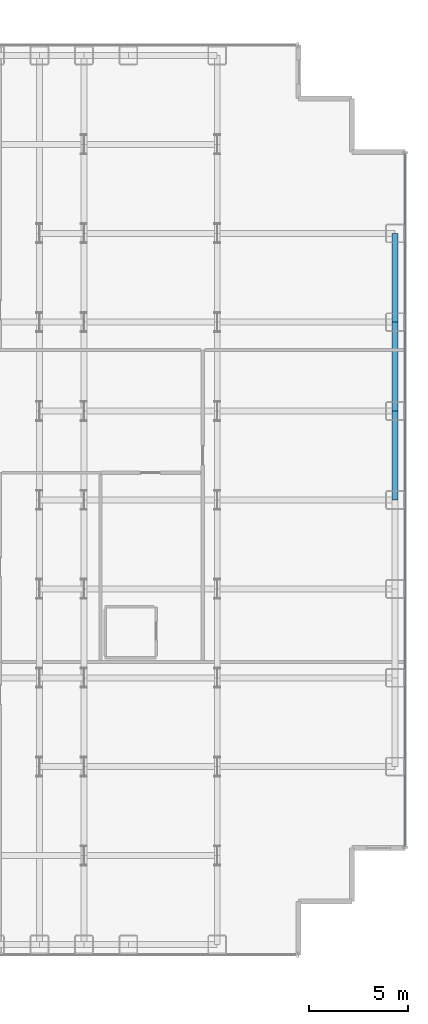
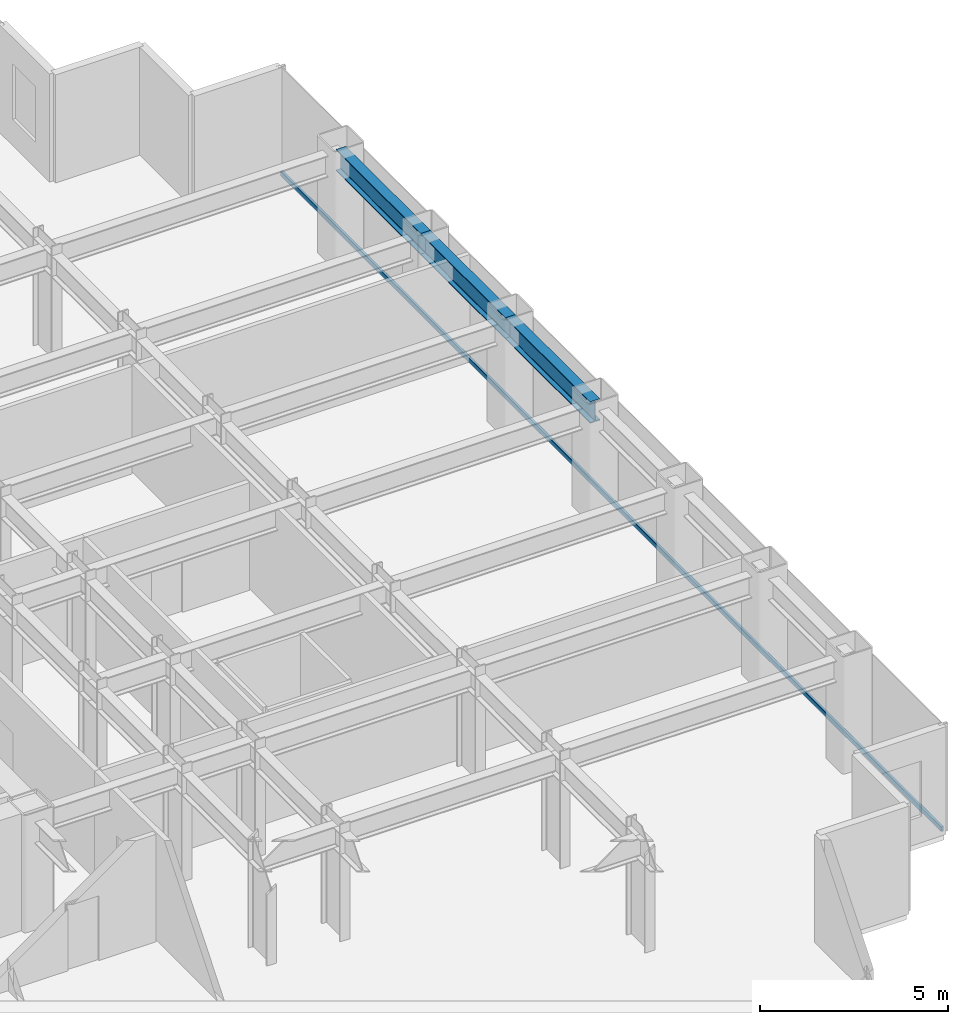
# One storey, part 17 of 26: 3 beams, 1 member, 1 element without a shape of its own.
"""IFC4 building model written with IfcOpenShell, lengths in metres."""

from ifc_helpers import new_model, si_unit, direction, frame, origin, origin_2d, place, context, subcontext, project, spatial, hollow_rectangle, i_section, extrude, source, transform, mapped, material, layer, layer_set, material_profile, profile_set, type_object, element, aggregate, save


model = new_model("IFC4")

# Units and contexts
model_context = context("Model", 3, precision=1e-05, world=origin(), true_north=direction((0.0, 1.0)))
body_context = subcontext(model_context, "Body", "Model", "MODEL_VIEW")
ifc_project = project(units=[si_unit("LENGTHUNIT", "METRE"), si_unit("AREAUNIT", "SQUARE_METRE"), si_unit("VOLUMEUNIT", "CUBIC_METRE"), si_unit("PLANEANGLEUNIT", "RADIAN"), si_unit("MASSUNIT", "GRAM", prefix="KILO")], contexts=[model_context])

# Site, building, storey
site_placement = place(None, origin())
site = spatial("IfcSite", under=ifc_project, at=site_placement, CompositionType="ELEMENT")
building_placement = place(site_placement, origin())
building = spatial("IfcBuilding", under=site, at=building_placement, Name="Nefas-Gora Pilgrimage Tower", CompositionType="ELEMENT")
storey_placement = place(building_placement, frame((0.0, 0.0, 82.39990234375)))
storey = spatial("IfcBuildingStorey", under=building, at=storey_placement, Name="L19", CompositionType="ELEMENT", Elevation=82.39990234375)

# Beams
ifc_material_1 = material(Name="Steel S355", Category="steel")
ifc_material_profile_1 = material_profile(ifc_material_1, i_section(OverallWidth=0.300048828125, OverallDepth=0.699951171875, WebThickness=0.01708984375, FlangeThickness=0.031982421875, FilletRadius=0.027099609375, at=origin_2d()), Name="HEB 700")
ifc_profile_set_1 = profile_set([ifc_material_profile_1], Name="Steel S355")
beam_type = type_object("IfcBeamType", Name="BM-SPN-HEB600", PredefinedType="SPANDREL", material=ifc_profile_set_1)
shared_shape_1 = source(origin(), body_context, "Body", "SweptSolid", [
    extrude(i_section(OverallWidth=0.300048828125, OverallDepth=0.699951171875, WebThickness=0.01708984375, FlangeThickness=0.031982421875, FilletRadius=0.027099609375, at=origin_2d()), origin(), (0.0, 0.0, 1.0), 4.5),
])
for number, where, z_axis, x_axis, name in (
    (1, (33.75, 0.0, 3.150146484375), (0.0, 1.0, 0.0), (-1.0, 0.0, 0.0), "L19 SP-01 beam"),
    (2, (33.75, 4.5, 3.150146484375), (0.0, 1.0, 0.0), (-1.0, 0.0, 0.0), "L19 SP-01 beam"),
    (3, (33.75, 9.0, 3.150146484375), (0.0, 1.0, 0.0), (-1.0, 0.0, 0.0), "L19 SP-01 beam"),
):
    element("IfcBeam", number, at=place(storey_placement, frame(where, z_axis=z_axis, x_axis=x_axis)), inside=storey, type_object=beam_type, Name=name, PredefinedType="SPANDREL", context=body_context, shape_type="MappedRepresentation", body=[
        mapped(shared_shape_1, transform((0.0, 0.0, 0.0), x_axis=(1.0, 0.0, 0.0), y_axis=(0.0, 1.0, 0.0), z_axis=(0.0, 0.0, 1.0), scale=1.0)),
    ])

# Curtain wall, member
ifc_material_2 = material(Name="Dark ceramic-fritted solar-control aluminium-glass curtain wall", Category="aluminium")
ifc_layer = layer(ifc_material_2, 0.219970703125)
ifc_layer_set = layer_set([ifc_layer], Name="Dark ceramic-fritted solar-control aluminium-glass curtain wall")
curtain_wall_type = type_object("IfcCurtainWallType", Name="CW-SYS-2", PredefinedType="NOTDEFINED", material=ifc_layer_set)
curtain_wall_placement = place(storey_placement, origin())
curtain_wall = element("IfcCurtainWall", 4, at=curtain_wall_placement, inside=storey, type_object=curtain_wall_type, Name="L19 Unitised Curtain Wall CW2", PredefinedType="NOTDEFINED")
ifc_material_3 = material(Name="Anodised architectural aluminium", Category="aluminium")
ifc_material_profile_2 = material_profile(ifc_material_3, hollow_rectangle(XDim=0.080078125, YDim=0.159912109375, WallThickness=0.00439453125, InnerFilletRadius=0.00439453125, OuterFilletRadius=0.009033203125, at=origin_2d()), Name="ALU TRANSOM 80x160")
ifc_profile_set_2 = profile_set([ifc_material_profile_2], Name="Anodised architectural aluminium")
member_type = type_object("IfcMemberType", Name="CWM-TRN-2", PredefinedType="USERDEFINED", material=ifc_profile_set_2)
shared_shape_2 = source(origin(), body_context, "Body", "SweptSolid", [
    extrude(hollow_rectangle(XDim=0.080078125, YDim=0.159912109375, WallThickness=0.00439453125, InnerFilletRadius=0.00439453125, OuterFilletRadius=0.009033203125, at=origin_2d()), origin(), (0.0, 0.0, 1.0), 35.06005859375),
])
member_placement = place(storey_placement, frame((34.27001953125, -17.530029296875, 0.050048828125), z_axis=(0.0, 1.0, 0.0), x_axis=(-1.0, 0.0, 0.0)))
member = element("IfcMember", 5, at=member_placement, type_object=member_type, Name="CW2 Spandrel Transom", ObjectType="TRANSOM", PredefinedType="USERDEFINED", context=body_context, shape_type="MappedRepresentation", body=[
    mapped(shared_shape_2, transform((0.0, 0.0, 0.0), x_axis=(1.0, 0.0, 0.0), y_axis=(0.0, 1.0, 0.0), z_axis=(0.0, 0.0, 1.0), scale=1.0)),
])
aggregate(curtain_wall, [member])

save(model, "model.ifc")
